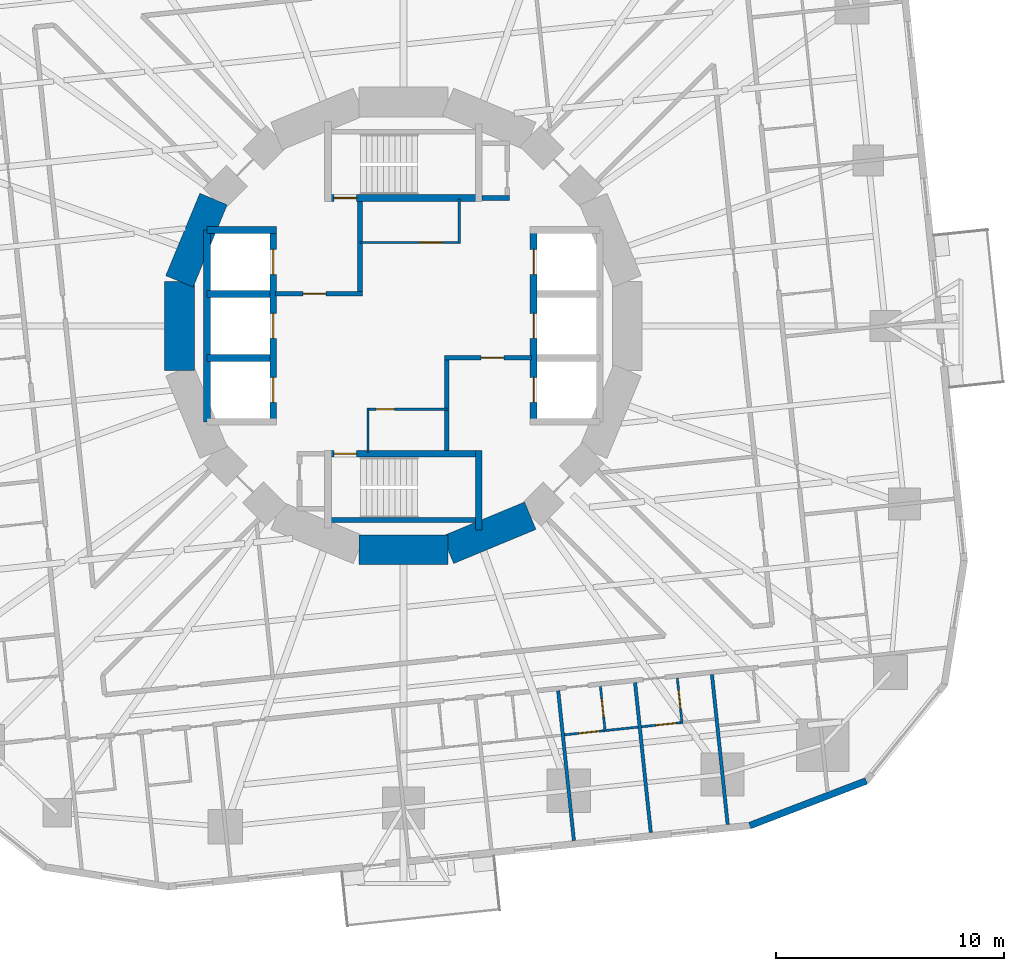
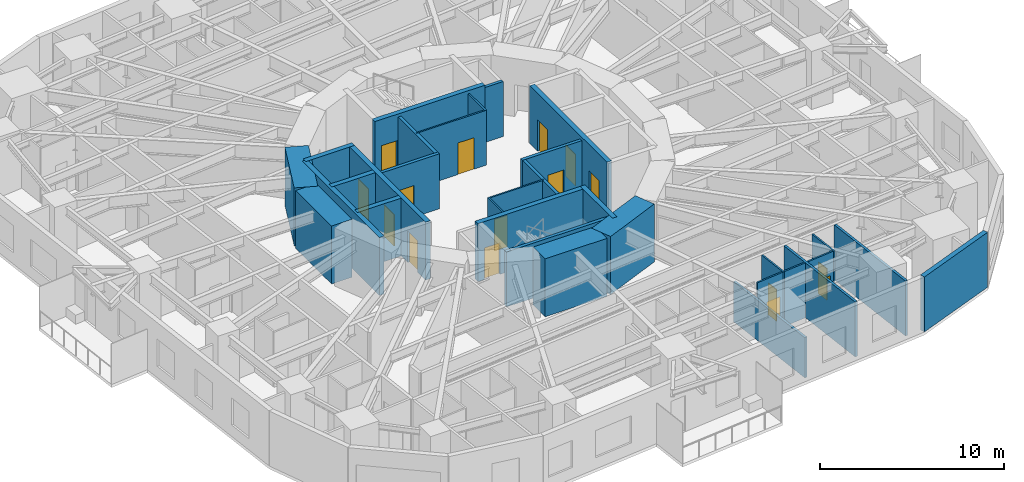
# One storey, part 7 of 13: 32 walls, 16 doors, 16 openings.
"""IFC4 building model written with IfcOpenShell, lengths in metres."""

from ifc_helpers import new_model, si_unit, direction, frame, frame_2d, origin, place, context, subcontext, project, spatial, rectangle, extrude, material, layer, layer_set, type_object, element, fill, save


model = new_model("IFC4")

# Units and contexts
model_context = context("Model", 3, precision=1e-05, world=origin(), true_north=direction((0.0, 1.0)))
body_context = subcontext(model_context, "Body", "Model", "MODEL_VIEW")
ifc_project = project(units=[si_unit("LENGTHUNIT", "METRE"), si_unit("AREAUNIT", "SQUARE_METRE"), si_unit("VOLUMEUNIT", "CUBIC_METRE"), si_unit("PLANEANGLEUNIT", "RADIAN"), si_unit("MASSUNIT", "GRAM", prefix="KILO")], contexts=[model_context])

# Site, building, storey
site_placement = place(None, origin())
site = spatial("IfcSite", under=ifc_project, at=site_placement, CompositionType="ELEMENT")
building_placement = place(site_placement, origin())
building = spatial("IfcBuilding", under=site, at=building_placement, Name="Nakasero Lantern House", CompositionType="ELEMENT")
storey_placement = place(building_placement, frame((0.0, 0.0, 79.75)))
storey = spatial("IfcBuildingStorey", under=building, at=storey_placement, Name="L19", CompositionType="ELEMENT", Elevation=79.75)

# Wall, openings, doors
ifc_material_1 = material(Name="Concrete C50/60", Category="concrete")
ifc_layer_1 = layer(ifc_material_1, 0.300048828125)
ifc_layer_set_1 = layer_set([ifc_layer_1], Name="Core inner wall 300")
wall_type_1 = type_object("IfcWallType", Name="Core inner wall 300", PredefinedType="SHEAR", material=ifc_layer_set_1)
wall_1_placement = place(storey_placement, frame((-5.699951171875, -4.199951171875, 0.0), z_axis=(0.0, 0.0, 1.0), x_axis=(0.0, 1.0, 0.0)))
wall_1 = element("IfcWall", 1, at=wall_1_placement, inside=storey, type_object=wall_type_1, Name="Core inner wall L19 LW", PredefinedType="SHEAR", context=body_context, shape_type="SweptSolid", body=[
    extrude(rectangle(XDim=8.39990234375, YDim=0.300048828125, at=frame_2d((4.199951171875, 0.0))), origin(), (0.0, 0.0, 1.0), 3.85009765625),
])
opening_1_placement = place(wall_1_placement, frame((0.85009765625, 0.0, 0.0)))
opening_1 = element("IfcOpeningElement", 2, at=opening_1_placement, cuts=wall_1, Name="Opening LD", PredefinedType="OPENING", context=body_context, shape_type="SweptSolid", body=[
    extrude(rectangle(XDim=1.10009765625, YDim=2.10009765625, at=frame_2d((0.550048828125, 1.050048828125))), frame((0.0, 0.169921875, 0.0), z_axis=(0.0, -1.0, 0.0), x_axis=(1.0, 0.0, 0.0)), (0.0, 0.0, 1.0), 0.340087890625),
])
opening_2_placement = place(wall_1_placement, frame((3.64990234375, 0.0, 0.0)))
opening_2 = element("IfcOpeningElement", 3, at=opening_2_placement, cuts=wall_1, Name="Opening LD", PredefinedType="OPENING", context=body_context, shape_type="SweptSolid", body=[
    extrude(rectangle(XDim=1.10009765625, YDim=2.10009765625, at=frame_2d((0.550048828125, 1.050048828125))), frame((0.0, 0.169921875, 0.0), z_axis=(0.0, -1.0, 0.0), x_axis=(1.0, 0.0, 0.0)), (0.0, 0.0, 1.0), 0.340087890625),
])
opening_3_placement = place(wall_1_placement, frame((6.449951171875, 0.0, 0.0)))
opening_3 = element("IfcOpeningElement", 4, at=opening_3_placement, cuts=wall_1, Name="Opening LD", PredefinedType="OPENING", context=body_context, shape_type="SweptSolid", body=[
    extrude(rectangle(XDim=1.10009765625, YDim=2.10009765625, at=frame_2d((0.550048828125, 1.050048828125))), frame((0.0, 0.169921875, 0.0), z_axis=(0.0, -1.0, 0.0), x_axis=(1.0, 0.0, 0.0)), (0.0, 0.0, 1.0), 0.340087890625),
])
ifc_material_2 = material(Name="Steel S355", Category="steel")
door_type_1 = type_object("IfcDoorType", Name="Lift landing door E120 1100", OperationType="SLIDING_TO_LEFT", PredefinedType="DOOR", material=ifc_material_2)
door_1_placement = place(opening_1_placement, origin())
door_1 = element("IfcDoor", 5, at=door_1_placement, inside=storey, type_object=door_type_1, Name="Lift landing door LW1", OperationType="SLIDING_TO_LEFT", OverallHeight=2.10009765625, OverallWidth=1.10009765625, PredefinedType="DOOR", context=body_context, shape_type="SweptSolid", body=[
    extrude(rectangle(XDim=1.10009765625, YDim=2.10009765625, at=frame_2d((0.550048828125, 1.050048828125))), frame((0.0, 0.02490234375, 0.0), z_axis=(0.0, -1.0, 0.0), x_axis=(1.0, 0.0, 0.0)), (0.0, 0.0, 1.0), 0.050048828125),
])
fill(opening_1, door_1)
door_2_placement = place(opening_2_placement, origin())
door_2 = element("IfcDoor", 6, at=door_2_placement, inside=storey, type_object=door_type_1, Name="Lift landing door LW2", OperationType="SLIDING_TO_LEFT", OverallHeight=2.10009765625, OverallWidth=1.10009765625, PredefinedType="DOOR", context=body_context, shape_type="SweptSolid", body=[
    extrude(rectangle(XDim=1.10009765625, YDim=2.10009765625, at=frame_2d((0.550048828125, 1.050048828125))), frame((0.0, 0.02490234375, 0.0), z_axis=(0.0, -1.0, 0.0), x_axis=(1.0, 0.0, 0.0)), (0.0, 0.0, 1.0), 0.050048828125),
])
fill(opening_2, door_2)
door_3_placement = place(opening_3_placement, origin())
door_3 = element("IfcDoor", 7, at=door_3_placement, inside=storey, type_object=door_type_1, Name="Lift landing door LW3", OperationType="SLIDING_TO_LEFT", OverallHeight=2.10009765625, OverallWidth=1.10009765625, PredefinedType="DOOR", context=body_context, shape_type="SweptSolid", body=[
    extrude(rectangle(XDim=1.10009765625, YDim=2.10009765625, at=frame_2d((0.550048828125, 1.050048828125))), frame((0.0, 0.02490234375, 0.0), z_axis=(0.0, -1.0, 0.0), x_axis=(1.0, 0.0, 0.0)), (0.0, 0.0, 1.0), 0.050048828125),
])
fill(opening_3, door_3)

wall_2_placement = place(storey_placement, frame((5.699951171875, -4.199951171875, 0.0), z_axis=(0.0, 0.0, 1.0), x_axis=(0.0, 1.0, 0.0)))
wall_2 = element("IfcWall", 8, at=wall_2_placement, inside=storey, type_object=wall_type_1, Name="Core inner wall L19 LE", PredefinedType="SHEAR", context=body_context, shape_type="SweptSolid", body=[
    extrude(rectangle(XDim=8.39990234375, YDim=0.300048828125, at=frame_2d((4.199951171875, 0.0))), origin(), (0.0, 0.0, 1.0), 3.85009765625),
])
opening_4_placement = place(wall_2_placement, frame((0.85009765625, 0.0, 0.0)))
opening_4 = element("IfcOpeningElement", 9, at=opening_4_placement, cuts=wall_2, Name="Opening LD", PredefinedType="OPENING", context=body_context, shape_type="SweptSolid", body=[
    extrude(rectangle(XDim=1.10009765625, YDim=2.10009765625, at=frame_2d((0.550048828125, 1.050048828125))), frame((0.0, 0.169921875, 0.0), z_axis=(0.0, -1.0, 0.0), x_axis=(1.0, 0.0, 0.0)), (0.0, 0.0, 1.0), 0.340087890625),
])
opening_5_placement = place(wall_2_placement, frame((3.64990234375, 0.0, 0.0)))
opening_5 = element("IfcOpeningElement", 10, at=opening_5_placement, cuts=wall_2, Name="Opening LD", PredefinedType="OPENING", context=body_context, shape_type="SweptSolid", body=[
    extrude(rectangle(XDim=1.10009765625, YDim=2.10009765625, at=frame_2d((0.550048828125, 1.050048828125))), frame((0.0, 0.169921875, 0.0), z_axis=(0.0, -1.0, 0.0), x_axis=(1.0, 0.0, 0.0)), (0.0, 0.0, 1.0), 0.340087890625),
])
opening_6_placement = place(wall_2_placement, frame((6.449951171875, 0.0, 0.0)))
opening_6 = element("IfcOpeningElement", 11, at=opening_6_placement, cuts=wall_2, Name="Opening LD", PredefinedType="OPENING", context=body_context, shape_type="SweptSolid", body=[
    extrude(rectangle(XDim=1.10009765625, YDim=2.10009765625, at=frame_2d((0.550048828125, 1.050048828125))), frame((0.0, 0.169921875, 0.0), z_axis=(0.0, -1.0, 0.0), x_axis=(1.0, 0.0, 0.0)), (0.0, 0.0, 1.0), 0.340087890625),
])
door_4_placement = place(opening_4_placement, origin())
door_4 = element("IfcDoor", 12, at=door_4_placement, inside=storey, type_object=door_type_1, Name="Lift landing door LE1", OperationType="SLIDING_TO_LEFT", OverallHeight=2.10009765625, OverallWidth=1.10009765625, PredefinedType="DOOR", context=body_context, shape_type="SweptSolid", body=[
    extrude(rectangle(XDim=1.10009765625, YDim=2.10009765625, at=frame_2d((0.550048828125, 1.050048828125))), frame((0.0, 0.02490234375, 0.0), z_axis=(0.0, -1.0, 0.0), x_axis=(1.0, 0.0, 0.0)), (0.0, 0.0, 1.0), 0.050048828125),
])
fill(opening_4, door_4)
door_5_placement = place(opening_5_placement, origin())
door_5 = element("IfcDoor", 13, at=door_5_placement, inside=storey, type_object=door_type_1, Name="Lift landing door LE2", OperationType="SLIDING_TO_LEFT", OverallHeight=2.10009765625, OverallWidth=1.10009765625, PredefinedType="DOOR", context=body_context, shape_type="SweptSolid", body=[
    extrude(rectangle(XDim=1.10009765625, YDim=2.10009765625, at=frame_2d((0.550048828125, 1.050048828125))), frame((0.0, 0.02490234375, 0.0), z_axis=(0.0, -1.0, 0.0), x_axis=(1.0, 0.0, 0.0)), (0.0, 0.0, 1.0), 0.050048828125),
])
fill(opening_5, door_5)
door_6_placement = place(opening_6_placement, origin())
door_6 = element("IfcDoor", 14, at=door_6_placement, inside=storey, type_object=door_type_1, Name="Lift landing door LE3", OperationType="SLIDING_TO_LEFT", OverallHeight=2.10009765625, OverallWidth=1.10009765625, PredefinedType="DOOR", context=body_context, shape_type="SweptSolid", body=[
    extrude(rectangle(XDim=1.10009765625, YDim=2.10009765625, at=frame_2d((0.550048828125, 1.050048828125))), frame((0.0, 0.02490234375, 0.0), z_axis=(0.0, -1.0, 0.0), x_axis=(1.0, 0.0, 0.0)), (0.0, 0.0, 1.0), 0.050048828125),
])
fill(opening_6, door_6)

# Walls
wall_3_placement = place(storey_placement, frame((-8.60009765625, 4.199951171875, 0.0), z_axis=(0.0, 0.0, 1.0), x_axis=(1.0, 0.0, 0.0)))
element("IfcWall", 15, at=wall_3_placement, inside=storey, type_object=wall_type_1, Name="Core inner wall L19 LWN", PredefinedType="SHEAR", context=body_context, shape_type="SweptSolid", body=[
    extrude(rectangle(XDim=3.050048828125, YDim=0.300048828125, at=frame_2d((1.52490234375, 0.0))), origin(), (0.0, 0.0, 1.0), 3.85009765625),
])
wall_4_placement = place(storey_placement, frame((-8.60009765625, -4.199951171875, 0.0), z_axis=(0.0, 0.0, 1.0), x_axis=(0.0, 1.0, 0.0)))
element("IfcWall", 16, at=wall_4_placement, inside=storey, type_object=wall_type_1, Name="Core inner wall L19 LWB", PredefinedType="SHEAR", context=body_context, shape_type="SweptSolid", body=[
    extrude(rectangle(XDim=8.39990234375, YDim=0.300048828125, at=frame_2d((4.199951171875, 0.0))), origin(), (0.0, 0.0, 1.0), 3.85009765625),
])
for number, where, z_axis, x_axis, name in (
    (17, (-8.60009765625, -1.39990234375, 0.0), (0.0, 0.0, 1.0), (1.0, 0.0, 0.0), "Core inner wall L19 LW1"),
    (18, (-8.60009765625, 1.39990234375, 0.0), (0.0, 0.0, 1.0), (1.0, 0.0, 0.0), "Core inner wall L19 LW2"),
):
    element("IfcWall", number, at=place(storey_placement, frame(where, z_axis=z_axis, x_axis=x_axis)), inside=storey, type_object=wall_type_1, Name=name, PredefinedType="SHEAR", context=body_context, shape_type="SweptSolid", body=[
        extrude(rectangle(XDim=2.75, YDim=0.300048828125, at=frame_2d((1.375, 0.0))), origin(), (0.0, 0.0, 1.0), 3.85009765625),
    ])

# Wall, opening, door
wall_5_placement = place(storey_placement, frame((-3.449951171875, 5.60009765625, 0.0), z_axis=(0.0, 0.0, 1.0), x_axis=(1.0, 0.0, 0.0)))
wall_5 = element("IfcWall", 19, at=wall_5_placement, inside=storey, type_object=wall_type_1, Name="Core inner wall L19 SN", PredefinedType="SHEAR", context=body_context, shape_type="SweptSolid", body=[
    extrude(rectangle(XDim=6.89990234375, YDim=0.300048828125, at=frame_2d((3.449951171875, 0.0))), origin(), (0.0, 0.0, 1.0), 3.85009765625),
])
opening_7_placement = place(wall_5_placement, frame((0.39990234375, 0.0, 0.0)))
opening_7 = element("IfcOpeningElement", 20, at=opening_7_placement, cuts=wall_5, Name="Opening D05", PredefinedType="OPENING", context=body_context, shape_type="SweptSolid", body=[
    extrude(rectangle(XDim=1.0, YDim=2.10009765625, at=frame_2d((0.5, 1.050048828125))), frame((0.0, 0.169921875, 0.0), z_axis=(0.0, -1.0, 0.0), x_axis=(1.0, 0.0, 0.0)), (0.0, 0.0, 1.0), 0.340087890625),
])
ifc_material_3 = material(Name="Timber C24", Category="wood")
door_type_2 = type_object("IfcDoorType", Name="Core door FD60S 1000", OperationType="SINGLE_SWING_LEFT", PredefinedType="DOOR", material=ifc_material_3)
door_7_placement = place(opening_7_placement, origin())
door_7 = element("IfcDoor", 21, at=door_7_placement, inside=storey, type_object=door_type_2, Name="Door L19 D-ST1", OperationType="SINGLE_SWING_LEFT", OverallHeight=2.10009765625, OverallWidth=1.0, PredefinedType="DOOR", context=body_context, shape_type="SweptSolid", body=[
    extrude(rectangle(XDim=1.0, YDim=2.10009765625, at=frame_2d((0.5, 1.050048828125))), frame((0.0, 0.02490234375, 0.0), z_axis=(0.0, -1.0, 0.0), x_axis=(1.0, 0.0, 0.0)), (0.0, 0.0, 1.0), 0.050048828125),
])
fill(opening_7, door_7)

wall_6_placement = place(storey_placement, frame((-3.449951171875, -5.60009765625, 0.0), z_axis=(0.0, 0.0, 1.0), x_axis=(1.0, 0.0, 0.0)))
wall_6 = element("IfcWall", 22, at=wall_6_placement, inside=storey, type_object=wall_type_1, Name="Core inner wall L19 SS", PredefinedType="SHEAR", context=body_context, shape_type="SweptSolid", body=[
    extrude(rectangle(XDim=6.89990234375, YDim=0.300048828125, at=frame_2d((3.449951171875, 0.0))), origin(), (0.0, 0.0, 1.0), 3.85009765625),
])
opening_8_placement = place(wall_6_placement, frame((0.39990234375, 0.0, 0.0)))
opening_8 = element("IfcOpeningElement", 23, at=opening_8_placement, cuts=wall_6, Name="Opening D05", PredefinedType="OPENING", context=body_context, shape_type="SweptSolid", body=[
    extrude(rectangle(XDim=1.0, YDim=2.10009765625, at=frame_2d((0.5, 1.050048828125))), frame((0.0, 0.169921875, 0.0), z_axis=(0.0, -1.0, 0.0), x_axis=(1.0, 0.0, 0.0)), (0.0, 0.0, 1.0), 0.340087890625),
])
door_8_placement = place(opening_8_placement, origin())
door_8 = element("IfcDoor", 24, at=door_8_placement, inside=storey, type_object=door_type_2, Name="Door L19 D-ST2", OperationType="SINGLE_SWING_LEFT", OverallHeight=2.10009765625, OverallWidth=1.0, PredefinedType="DOOR", context=body_context, shape_type="SweptSolid", body=[
    extrude(rectangle(XDim=1.0, YDim=2.10009765625, at=frame_2d((0.5, 1.050048828125))), frame((0.0, 0.02490234375, 0.0), z_axis=(0.0, -1.0, 0.0), x_axis=(1.0, 0.0, 0.0)), (0.0, 0.0, 1.0), 0.050048828125),
])
fill(opening_8, door_8)

# Wall
wall_7_placement = place(storey_placement, frame((3.300048828125, -5.449951171875, 0.0), z_axis=(0.0, 0.0, 1.0), x_axis=(0.0, -1.0, 0.0)))
element("IfcWall", 25, at=wall_7_placement, inside=storey, type_object=wall_type_1, Name="Core inner wall L19 SSE", PredefinedType="SHEAR", context=body_context, shape_type="SweptSolid", body=[
    extrude(rectangle(XDim=3.5, YDim=0.300048828125, at=frame_2d((1.75, 0.0))), origin(), (0.0, 0.0, 1.0), 3.85009765625),
])

# Wall, opening, door
ifc_material_4 = material(Name="Blockwork", Category="masonry")
ifc_layer_2 = layer(ifc_material_4, 0.10009765625)
ifc_layer_set_2 = layer_set([ifc_layer_2], Name="Core room wall 100")
wall_type_2 = type_object("IfcWallType", Name="Core room wall 100", PredefinedType="PARTITIONING", material=ifc_layer_set_2)
wall_8_placement = place(storey_placement, frame((-1.89990234375, 3.64990234375, 0.0), z_axis=(0.0, 0.0, 1.0), x_axis=(1.0, 0.0, 0.0)))
wall_8 = element("IfcWall", 26, at=wall_8_placement, inside=storey, type_object=wall_type_2, Name="Core room wall L19 CR-NES", PredefinedType="PARTITIONING", context=body_context, shape_type="SweptSolid", body=[
    extrude(rectangle(XDim=4.39990234375, YDim=0.10009765625, at=frame_2d((2.199951171875, 0.0))), origin(), (0.0, 0.0, 1.0), 3.64990234375),
])
opening_9_placement = place(wall_8_placement, frame((2.60009765625, 0.0, 0.0)))
opening_9 = element("IfcOpeningElement", 27, at=opening_9_placement, cuts=wall_8, Name="Opening D07", PredefinedType="OPENING", context=body_context, shape_type="SweptSolid", body=[
    extrude(rectangle(XDim=1.0, YDim=2.10009765625, at=frame_2d((0.5, 1.050048828125))), frame((0.0, 0.070068359375, 0.0), z_axis=(0.0, -1.0, 0.0), x_axis=(1.0, 0.0, 0.0)), (0.0, 0.0, 1.0), 0.14013671875),
])
ifc_material_5 = material(Name="Timber C24", Category="wood")
door_type_3 = type_object("IfcDoorType", Name="Room door FD30S 1000", OperationType="SINGLE_SWING_LEFT", PredefinedType="DOOR", material=ifc_material_5)
door_9_placement = place(opening_9_placement, origin())
door_9 = element("IfcDoor", 28, at=door_9_placement, inside=storey, type_object=door_type_3, Name="Door L19 D-CR-NE", OperationType="SINGLE_SWING_RIGHT", OverallHeight=2.10009765625, OverallWidth=1.0, PredefinedType="DOOR", context=body_context, shape_type="SweptSolid", body=[
    extrude(rectangle(XDim=1.0, YDim=2.10009765625, at=frame_2d((0.5, 1.050048828125))), frame((0.0, 0.02490234375, 0.0), z_axis=(0.0, -1.0, 0.0), x_axis=(1.0, 0.0, 0.0)), (0.0, 0.0, 1.0), 0.050048828125),
])
fill(opening_9, door_9)

# Wall
wall_9_placement = place(storey_placement, frame((2.449951171875, 3.60009765625, 0.0), z_axis=(0.0, 0.0, 1.0), x_axis=(0.0, 1.0, 0.0)))
element("IfcWall", 29, at=wall_9_placement, inside=storey, type_object=wall_type_2, Name="Core room wall L19 CR-NEE", PredefinedType="PARTITIONING", context=body_context, shape_type="SweptSolid", body=[
    extrude(rectangle(XDim=1.949951171875, YDim=0.10009765625, at=frame_2d((0.97509765625, 0.0))), origin(), (0.0, 0.0, 1.0), 3.64990234375),
])

# Wall, opening, door
wall_10_placement = place(storey_placement, frame((-1.60009765625, -3.64990234375, 0.0), z_axis=(0.0, 0.0, 1.0), x_axis=(1.0, 0.0, 0.0)))
wall_10 = element("IfcWall", 30, at=wall_10_placement, inside=storey, type_object=wall_type_2, Name="Core room wall L19 CR-SWN", PredefinedType="PARTITIONING", context=body_context, shape_type="SweptSolid", body=[
    extrude(rectangle(XDim=3.5, YDim=0.10009765625, at=frame_2d((1.75, 0.0))), origin(), (0.0, 0.0, 1.0), 3.64990234375),
])
opening_10_placement = place(wall_10_placement, frame((0.39990234375, 0.0, 0.0)))
opening_10 = element("IfcOpeningElement", 31, at=opening_10_placement, cuts=wall_10, Name="Opening D15", PredefinedType="OPENING", context=body_context, shape_type="SweptSolid", body=[
    extrude(rectangle(XDim=0.800048828125, YDim=2.10009765625, at=frame_2d((0.39990234375, 1.050048828125))), frame((0.0, 0.070068359375, 0.0), z_axis=(0.0, -1.0, 0.0), x_axis=(1.0, 0.0, 0.0)), (0.0, 0.0, 1.0), 0.14013671875),
])
ifc_material_6 = material(Name="Timber C24", Category="wood")
door_type_4 = type_object("IfcDoorType", Name="Cleaner's store door FD30S 800", OperationType="SINGLE_SWING_LEFT", PredefinedType="DOOR", material=ifc_material_6)
door_10_placement = place(opening_10_placement, origin())
door_10 = element("IfcDoor", 32, at=door_10_placement, inside=storey, type_object=door_type_4, Name="Door L19 D-CR-SW", OperationType="SINGLE_SWING_LEFT", OverallHeight=2.10009765625, OverallWidth=0.800048828125, PredefinedType="DOOR", context=body_context, shape_type="SweptSolid", body=[
    extrude(rectangle(XDim=0.800048828125, YDim=2.10009765625, at=frame_2d((0.39990234375, 1.050048828125))), frame((0.0, 0.02490234375, 0.0), z_axis=(0.0, -1.0, 0.0), x_axis=(1.0, 0.0, 0.0)), (0.0, 0.0, 1.0), 0.050048828125),
])
fill(opening_10, door_10)

# Walls
wall_11_placement = place(storey_placement, frame((-1.550048828125, -5.550048828125, 0.0), z_axis=(0.0, 0.0, 1.0), x_axis=(0.0, 1.0, 0.0)))
element("IfcWall", 33, at=wall_11_placement, inside=storey, type_object=wall_type_2, Name="Core room wall L19 CR-SWW", PredefinedType="PARTITIONING", context=body_context, shape_type="SweptSolid", body=[
    extrude(rectangle(XDim=1.949951171875, YDim=0.10009765625, at=frame_2d((0.97509765625, 0.0))), origin(), (0.0, 0.0, 1.0), 3.64990234375),
])
ifc_material_7 = material(Name="Concrete C50/60", Category="concrete")
ifc_layer_3 = layer(ifc_material_7, 1.300048828125)
ifc_layer_set_3 = layer_set([ifc_layer_3], Name="Core wall 1300")
wall_type_3 = type_object("IfcWallType", Name="Core wall 1300", PredefinedType="SHEAR", material=ifc_layer_set_3)
for number, where, z_axis, x_axis, name in (
    (34, (-8.314697265625, 5.5556640625, 0.0), (0.0, 0.0, 1.0), (-0.382690736062, -0.923876507187, 0.0), "Core wall L19 facet 7"),
    (35, (-9.807861328125, 1.950927734375, 0.0), (0.0, 0.0, 1.0), (0.0, -1.0, 0.0), "Core wall L19 facet 8"),
    (36, (-1.950927734375, -9.807861328125, 0.0), (0.0, 0.0, 1.0), (1.0, 0.0, 0.0), "Core wall L19 facet 12"),
    (37, (1.950927734375, -9.807861328125, 0.0), (0.0, 0.0, 1.0), (0.923876507187, 0.382690736062, 0.0), "Core wall L19 facet 13"),
):
    element("IfcWall", number, at=place(storey_placement, frame(where, z_axis=z_axis, x_axis=x_axis)), inside=storey, type_object=wall_type_3, Name=name, PredefinedType="SHEAR", context=body_context, shape_type="SweptSolid", body=[
        extrude(rectangle(XDim=3.90185546875, YDim=1.300048828125, at=frame_2d((1.950927734375, 0.0))), origin(), (0.0, 0.0, 1.0), 3.85009765625),
    ])

# Wall, opening, door
ifc_material_8 = material(Name="Blockwork", Category="masonry")
ifc_layer_4 = layer(ifc_material_8, 0.10009765625)
ifc_layer_set_4 = layer_set([ifc_layer_4], Name="En-suite wall 100")
wall_type_4 = type_object("IfcWallType", Name="En-suite wall 100", PredefinedType="PARTITIONING", material=ifc_layer_set_4)
wall_12_placement = place(storey_placement, frame((8.627685546875, -15.78466796875, 0.0), z_axis=(0.0, 0.0, 1.0), x_axis=(0.104614886044, -0.994512808172, 0.0)))
wall_12 = element("IfcWall", 38, at=wall_12_placement, inside=storey, type_object=wall_type_4, Name="En-suite wall L19 ES3-06", PredefinedType="PARTITIONING", context=body_context, shape_type="SweptSolid", body=[
    extrude(rectangle(XDim=2.0, YDim=0.10009765625, at=frame_2d((1.0, 0.0))), origin(), (0.0, 0.0, 1.0), 3.64990234375),
])
opening_11_placement = place(wall_12_placement, frame((0.550048828125, 0.0, 0.0)))
opening_11 = element("IfcOpeningElement", 39, at=opening_11_placement, cuts=wall_12, Name="Opening D02", PredefinedType="OPENING", context=body_context, shape_type="SweptSolid", body=[
    extrude(rectangle(XDim=0.800048828125, YDim=2.10009765625, at=frame_2d((0.39990234375, 1.050048828125))), frame((0.0, 0.070068359375, 0.0), z_axis=(0.0, -1.0, 0.0), x_axis=(1.0, 0.0, 0.0)), (0.0, 0.0, 1.0), 0.14013671875),
])
ifc_material_9 = material(Name="Timber C24", Category="wood")
door_type_5 = type_object("IfcDoorType", Name="En-suite door 800", OperationType="SINGLE_SWING_RIGHT", PredefinedType="DOOR", material=ifc_material_9)
door_11_placement = place(opening_11_placement, origin())
door_11 = element("IfcDoor", 40, at=door_11_placement, inside=storey, type_object=door_type_5, Name="Door L19 DE3-06", OperationType="SINGLE_SWING_LEFT", OverallHeight=2.10009765625, OverallWidth=0.800048828125, PredefinedType="DOOR", context=body_context, shape_type="SweptSolid", body=[
    extrude(rectangle(XDim=0.800048828125, YDim=2.10009765625, at=frame_2d((0.39990234375, 1.050048828125))), frame((0.0, 0.02490234375, 0.0), z_axis=(0.0, -1.0, 0.0), x_axis=(1.0, 0.0, 0.0)), (0.0, 0.0, 1.0), 0.050048828125),
])
fill(opening_11, door_11)

# Wall
wall_13_placement = place(storey_placement, frame((8.88134765625, -17.71875, 0.0), z_axis=(0.0, 0.0, 1.0), x_axis=(0.994511184598, 0.104630319263, 0.0)))
element("IfcWall", 41, at=wall_13_placement, inside=storey, type_object=wall_type_4, Name="En-suite wall L19 EE3-06", PredefinedType="PARTITIONING", context=body_context, shape_type="SweptSolid", body=[
    extrude(rectangle(XDim=1.39990234375, YDim=0.10009765625, at=frame_2d((0.699951171875, 0.0))), origin(), (0.0, 0.0, 1.0), 3.64990234375),
])

# Wall, opening, door
wall_14_placement = place(storey_placement, frame((11.994873046875, -15.4306640625, 0.0), z_axis=(0.0, 0.0, 1.0), x_axis=(0.104494148666, -0.99452550138, 0.0)))
wall_14 = element("IfcWall", 42, at=wall_14_placement, inside=storey, type_object=wall_type_4, Name="En-suite wall L19 ES3-07", PredefinedType="PARTITIONING", context=body_context, shape_type="SweptSolid", body=[
    extrude(rectangle(XDim=2.0, YDim=0.10009765625, at=frame_2d((1.0, 0.0))), origin(), (0.0, 0.0, 1.0), 3.64990234375),
])
opening_12_placement = place(wall_14_placement, frame((0.550048828125, 0.0, 0.0)))
opening_12 = element("IfcOpeningElement", 43, at=opening_12_placement, cuts=wall_14, Name="Opening D02", PredefinedType="OPENING", context=body_context, shape_type="SweptSolid", body=[
    extrude(rectangle(XDim=0.800048828125, YDim=2.10009765625, at=frame_2d((0.39990234375, 1.050048828125))), frame((0.0, 0.070068359375, 0.0), z_axis=(0.0, -1.0, 0.0), x_axis=(1.0, 0.0, 0.0)), (0.0, 0.0, 1.0), 0.14013671875),
])
door_12_placement = place(opening_12_placement, origin())
door_12 = element("IfcDoor", 44, at=door_12_placement, inside=storey, type_object=door_type_5, Name="Door L19 DE3-07", OperationType="SINGLE_SWING_LEFT", OverallHeight=2.10009765625, OverallWidth=0.800048828125, PredefinedType="DOOR", context=body_context, shape_type="SweptSolid", body=[
    extrude(rectangle(XDim=0.800048828125, YDim=2.10009765625, at=frame_2d((0.39990234375, 1.050048828125))), frame((0.0, 0.02490234375, 0.0), z_axis=(0.0, -1.0, 0.0), x_axis=(1.0, 0.0, 0.0)), (0.0, 0.0, 1.0), 0.050048828125),
])
fill(opening_12, door_12)

wall_15_placement = place(storey_placement, frame((7.055908203125, -17.91064453125, 0.0), z_axis=(0.0, 0.0, 1.0), x_axis=(0.99452316669, 0.10451636674, 0.0)))
wall_15 = element("IfcWall", 45, at=wall_15_placement, inside=storey, type_object=wall_type_4, Name="En-suite wall L19 EL3-06", PredefinedType="PARTITIONING", context=body_context, shape_type="SweptSolid", body=[
    extrude(rectangle(XDim=1.735595703125, YDim=0.10009765625, at=frame_2d((0.86767578125, 0.0))), origin(), (0.0, 0.0, 1.0), 3.64990234375),
])
opening_13_placement = place(wall_15_placement, frame((0.635498046875, 0.0, 0.0)))
opening_13 = element("IfcOpeningElement", 46, at=opening_13_placement, cuts=wall_15, Name="Opening D17", PredefinedType="OPENING", context=body_context, shape_type="SweptSolid", body=[
    extrude(rectangle(XDim=0.89990234375, YDim=2.10009765625, at=frame_2d((0.449951171875, 1.050048828125))), frame((0.0, 0.070068359375, 0.0), z_axis=(0.0, -1.0, 0.0), x_axis=(1.0, 0.0, 0.0)), (0.0, 0.0, 1.0), 0.14013671875),
])
ifc_material_10 = material(Name="Timber C24", Category="wood")
door_type_6 = type_object("IfcDoorType", Name="Bedroom door FD30S 900", OperationType="SINGLE_SWING_LEFT", PredefinedType="DOOR", material=ifc_material_10)
door_13_placement = place(opening_13_placement, origin())
door_13 = element("IfcDoor", 47, at=door_13_placement, inside=storey, type_object=door_type_6, Name="Door L19 DL3-06", OperationType="SINGLE_SWING_RIGHT", OverallHeight=2.10009765625, OverallWidth=0.89990234375, PredefinedType="DOOR", context=body_context, shape_type="SweptSolid", body=[
    extrude(rectangle(XDim=0.89990234375, YDim=2.10009765625, at=frame_2d((0.449951171875, 1.050048828125))), frame((0.0, 0.02490234375, 0.0), z_axis=(0.0, -1.0, 0.0), x_axis=(1.0, 0.0, 0.0)), (0.0, 0.0, 1.0), 0.050048828125),
])
fill(opening_13, door_13)

wall_16_placement = place(storey_placement, frame((10.4228515625, -17.556640625, 0.0), z_axis=(0.0, 0.0, 1.0), x_axis=(0.99452316669, 0.10451636674, 0.0)))
wall_16 = element("IfcWall", 48, at=wall_16_placement, inside=storey, type_object=wall_type_4, Name="En-suite wall L19 EL3-07", PredefinedType="PARTITIONING", context=body_context, shape_type="SweptSolid", body=[
    extrude(rectangle(XDim=1.735595703125, YDim=0.10009765625, at=frame_2d((0.86767578125, 0.0))), origin(), (0.0, 0.0, 1.0), 3.64990234375),
])
opening_14_placement = place(wall_16_placement, frame((0.635498046875, 0.0, 0.0)))
opening_14 = element("IfcOpeningElement", 49, at=opening_14_placement, cuts=wall_16, Name="Opening D17", PredefinedType="OPENING", context=body_context, shape_type="SweptSolid", body=[
    extrude(rectangle(XDim=0.89990234375, YDim=2.10009765625, at=frame_2d((0.449951171875, 1.050048828125))), frame((0.0, 0.070068359375, 0.0), z_axis=(0.0, -1.0, 0.0), x_axis=(1.0, 0.0, 0.0)), (0.0, 0.0, 1.0), 0.14013671875),
])
door_14_placement = place(opening_14_placement, origin())
door_14 = element("IfcDoor", 50, at=door_14_placement, inside=storey, type_object=door_type_6, Name="Door L19 DL3-07", OperationType="SINGLE_SWING_RIGHT", OverallHeight=2.10009765625, OverallWidth=0.89990234375, PredefinedType="DOOR", context=body_context, shape_type="SweptSolid", body=[
    extrude(rectangle(XDim=0.89990234375, YDim=2.10009765625, at=frame_2d((0.449951171875, 1.050048828125))), frame((0.0, 0.02490234375, 0.0), z_axis=(0.0, -1.0, 0.0), x_axis=(1.0, 0.0, 0.0)), (0.0, 0.0, 1.0), 0.050048828125),
])
fill(opening_14, door_14)

# Wall
ifc_material_11 = material(Name="Aluminium rainscreen on blockwork", Category="masonry")
ifc_layer_5 = layer(ifc_material_11, 0.300048828125)
ifc_layer_set_5 = layer_set([ifc_layer_5], Name="Facade wall 300")
wall_type_5 = type_object("IfcWallType", Name="Facade wall 300", PredefinedType="SOLIDWALL", material=ifc_layer_set_5)
wall_17_placement = place(storey_placement, frame((15.170654296875, -21.884033203125, 0.0), z_axis=(0.0, 0.0, 1.0), x_axis=(0.933583906079, 0.358358884793, 0.0)))
element("IfcWall", 51, at=wall_17_placement, inside=storey, type_object=wall_type_5, Name="Facade wall L19 FW3C1", PredefinedType="SOLIDWALL", context=body_context, shape_type="SweptSolid", body=[
    extrude(rectangle(XDim=5.461181640625, YDim=0.300048828125, at=frame_2d((2.73046875, 0.0))), origin(), (0.0, 0.0, 1.0), 3.64990234375),
])

# Wall, opening, door
ifc_material_12 = material(Name="Blockwork", Category="masonry")
ifc_layer_6 = layer(ifc_material_12, 0.199951171875)
ifc_layer_set_6 = layer_set([ifc_layer_6], Name="Fire lobby wall 200")
wall_type_6 = type_object("IfcWallType", Name="Fire lobby wall 200", PredefinedType="PARTITIONING", material=ifc_layer_set_6)
wall_18_placement = place(storey_placement, frame((-5.60009765625, 1.39990234375, 0.0), z_axis=(0.0, 0.0, 1.0), x_axis=(1.0, 0.0, 0.0)))
wall_18 = element("IfcWall", 52, at=wall_18_placement, inside=storey, type_object=wall_type_6, Name="Fire lobby wall L19 W-FL1S", PredefinedType="PARTITIONING", context=body_context, shape_type="SweptSolid", body=[
    extrude(rectangle(XDim=3.800048828125, YDim=0.199951171875, at=frame_2d((1.89990234375, 0.0))), origin(), (0.0, 0.0, 1.0), 3.64990234375),
])
opening_15_placement = place(wall_18_placement, frame((1.199951171875, 0.0, 0.0)))
opening_15 = element("IfcOpeningElement", 53, at=opening_15_placement, cuts=wall_18, Name="Opening D05", PredefinedType="OPENING", context=body_context, shape_type="SweptSolid", body=[
    extrude(rectangle(XDim=1.0, YDim=2.10009765625, at=frame_2d((0.5, 1.050048828125))), frame((0.0, 0.119873046875, 0.0), z_axis=(0.0, -1.0, 0.0), x_axis=(1.0, 0.0, 0.0)), (0.0, 0.0, 1.0), 0.239990234375),
])
door_15_placement = place(opening_15_placement, origin())
door_15 = element("IfcDoor", 54, at=door_15_placement, inside=storey, type_object=door_type_2, Name="Door L19 D-FL1", OperationType="SINGLE_SWING_LEFT", OverallHeight=2.10009765625, OverallWidth=1.0, PredefinedType="DOOR", context=body_context, shape_type="SweptSolid", body=[
    extrude(rectangle(XDim=1.0, YDim=2.10009765625, at=frame_2d((0.5, 1.050048828125))), frame((0.0, 0.02490234375, 0.0), z_axis=(0.0, -1.0, 0.0), x_axis=(1.0, 0.0, 0.0)), (0.0, 0.0, 1.0), 0.050048828125),
])
fill(opening_15, door_15)

# Wall
wall_19_placement = place(storey_placement, frame((-1.89990234375, 1.5, 0.0), z_axis=(0.0, 0.0, 1.0), x_axis=(0.0, 1.0, 0.0)))
element("IfcWall", 55, at=wall_19_placement, inside=storey, type_object=wall_type_6, Name="Fire lobby wall L19 W-FL1E", PredefinedType="PARTITIONING", context=body_context, shape_type="SweptSolid", body=[
    extrude(rectangle(XDim=3.949951171875, YDim=0.199951171875, at=frame_2d((1.97509765625, 0.0))), origin(), (0.0, 0.0, 1.0), 3.64990234375),
])

# Wall, opening, door
wall_20_placement = place(storey_placement, frame((5.60009765625, -1.39990234375, 0.0), z_axis=(0.0, 0.0, 1.0), x_axis=(-1.0, 0.0, 0.0)))
wall_20 = element("IfcWall", 56, at=wall_20_placement, inside=storey, type_object=wall_type_6, Name="Fire lobby wall L19 W-FL2N", PredefinedType="PARTITIONING", context=body_context, shape_type="SweptSolid", body=[
    extrude(rectangle(XDim=3.800048828125, YDim=0.199951171875, at=frame_2d((1.89990234375, 0.0))), origin(), (0.0, 0.0, 1.0), 3.64990234375),
])
opening_16_placement = place(wall_20_placement, frame((1.199951171875, 0.0, 0.0)))
opening_16 = element("IfcOpeningElement", 57, at=opening_16_placement, cuts=wall_20, Name="Opening D05", PredefinedType="OPENING", context=body_context, shape_type="SweptSolid", body=[
    extrude(rectangle(XDim=1.0, YDim=2.10009765625, at=frame_2d((0.5, 1.050048828125))), frame((0.0, 0.119873046875, 0.0), z_axis=(0.0, -1.0, 0.0), x_axis=(1.0, 0.0, 0.0)), (0.0, 0.0, 1.0), 0.239990234375),
])
door_16_placement = place(opening_16_placement, origin())
door_16 = element("IfcDoor", 58, at=door_16_placement, inside=storey, type_object=door_type_2, Name="Door L19 D-FL2", OperationType="SINGLE_SWING_LEFT", OverallHeight=2.10009765625, OverallWidth=1.0, PredefinedType="DOOR", context=body_context, shape_type="SweptSolid", body=[
    extrude(rectangle(XDim=1.0, YDim=2.10009765625, at=frame_2d((0.5, 1.050048828125))), frame((0.0, 0.02490234375, 0.0), z_axis=(0.0, -1.0, 0.0), x_axis=(1.0, 0.0, 0.0)), (0.0, 0.0, 1.0), 0.050048828125),
])
fill(opening_16, door_16)

# Walls
wall_21_placement = place(storey_placement, frame((1.89990234375, -1.5, 0.0), z_axis=(0.0, 0.0, 1.0), x_axis=(0.0, -1.0, 0.0)))
element("IfcWall", 59, at=wall_21_placement, inside=storey, type_object=wall_type_6, Name="Fire lobby wall L19 W-FL2W", PredefinedType="PARTITIONING", context=body_context, shape_type="SweptSolid", body=[
    extrude(rectangle(XDim=3.949951171875, YDim=0.199951171875, at=frame_2d((1.97509765625, 0.0))), origin(), (0.0, 0.0, 1.0), 3.64990234375),
])
wall_22_placement = place(storey_placement, frame((3.449951171875, 5.60009765625, 0.0), z_axis=(0.0, 0.0, 1.0), x_axis=(1.0, 0.0, 0.0)))
element("IfcWall", 60, at=wall_22_placement, inside=storey, type_object=wall_type_6, Name="Fire lobby wall L19 W-RS1S", PredefinedType="PARTITIONING", context=body_context, shape_type="SweptSolid", body=[
    extrude(rectangle(XDim=1.199951171875, YDim=0.199951171875, at=frame_2d((0.60009765625, 0.0))), origin(), (0.0, 0.0, 1.0), 3.64990234375),
])
wall_23_placement = place(storey_placement, frame((-3.300048828125, -8.5, 0.0), z_axis=(0.0, 0.0, 1.0), x_axis=(1.0, 0.0, 0.0)))
element("IfcWall", 61, at=wall_23_placement, inside=storey, type_object=wall_type_6, Name="Fire lobby wall L19 W-STS", PredefinedType="PARTITIONING", context=body_context, shape_type="SweptSolid", body=[
    extrude(rectangle(XDim=6.60009765625, YDim=0.199951171875, at=frame_2d((3.300048828125, 0.0))), origin(), (0.0, 0.0, 1.0), 3.64990234375),
])
ifc_material_13 = material(Name="Blockwork", Category="masonry")
ifc_layer_7 = layer(ifc_material_13, 0.14990234375)
ifc_layer_set_7 = layer_set([ifc_layer_7], Name="Party wall 150")
wall_type_7 = type_object("IfcWallType", Name="Party wall 150", PredefinedType="PARTITIONING", material=ifc_layer_set_7)
wall_24_placement = place(storey_placement, frame((6.77734375, -15.97900390625, 0.0), z_axis=(0.0, 0.0, 1.0), x_axis=(0.104534592565, -0.994521251134, 0.0)))
element("IfcWall", 62, at=wall_24_placement, inside=storey, type_object=wall_type_7, Name="Party wall L19 PW3-06", PredefinedType="PARTITIONING", context=body_context, shape_type="SweptSolid", body=[
    extrude(rectangle(XDim=6.60009765625, YDim=0.14990234375, at=frame_2d((3.300048828125, 0.0))), origin(), (0.0, 0.0, 1.0), 2.669921875),
])
wall_25_placement = place(storey_placement, frame((10.14453125, -15.625244140625, 0.0), z_axis=(0.0, 0.0, 1.0), x_axis=(0.104501850668, -0.994524692105, 0.0)))
element("IfcWall", 63, at=wall_25_placement, inside=storey, type_object=wall_type_7, Name="Party wall L19 PW3-07", PredefinedType="PARTITIONING", context=body_context, shape_type="SweptSolid", body=[
    extrude(rectangle(XDim=6.599853515625, YDim=0.14990234375, at=frame_2d((3.2998046875, 0.0))), origin(), (0.0, 0.0, 1.0), 3.64990234375),
])
wall_26_placement = place(storey_placement, frame((13.511474609375, -15.271240234375, 0.0), z_axis=(0.0, 0.0, 1.0), x_axis=(0.104534592565, -0.994521251134, 0.0)))
element("IfcWall", 64, at=wall_26_placement, inside=storey, type_object=wall_type_7, Name="Party wall L19 PW3-08", PredefinedType="PARTITIONING", context=body_context, shape_type="SweptSolid", body=[
    extrude(rectangle(XDim=6.60009765625, YDim=0.14990234375, at=frame_2d((3.300048828125, 0.0))), origin(), (0.0, 0.0, 1.0), 3.64990234375),
])

save(model, "model.ifc")
